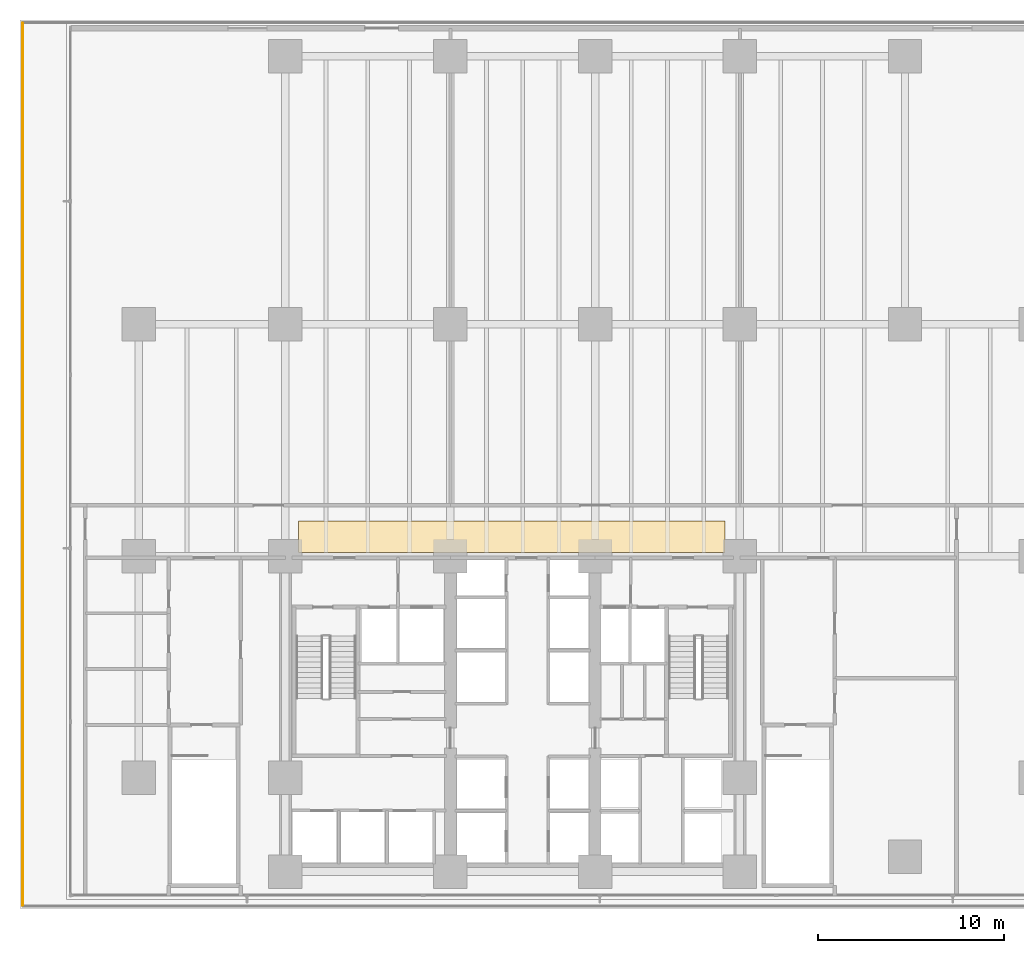
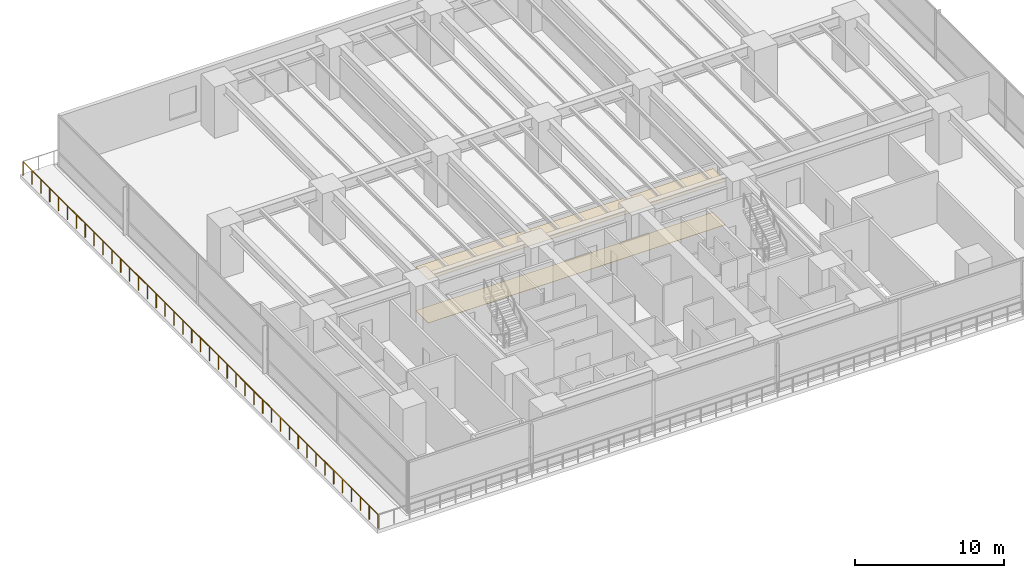
# One storey, part 17 of 21: 2 coverings, 1 railing.
"""IFC4 building model written with IfcOpenShell, lengths in metres."""

from ifc_helpers import new_model, si_unit, direction, frame, origin, origin_2d, place, context, subcontext, project, spatial, polyline, circle, outline, extrude, material, layer, layer_set, type_object, element, save


model = new_model("IFC4")

# Units and contexts
model_context = context("Model", 3, precision=1e-05, world=origin(), true_north=direction((0.0, 1.0)))
body_context = subcontext(model_context, "Body", "Model", "MODEL_VIEW")
ifc_project = project(units=[si_unit("LENGTHUNIT", "METRE"), si_unit("AREAUNIT", "SQUARE_METRE"), si_unit("VOLUMEUNIT", "CUBIC_METRE"), si_unit("PLANEANGLEUNIT", "RADIAN"), si_unit("MASSUNIT", "GRAM", prefix="KILO")], contexts=[model_context])

# Site, building, storey
site_placement = place(None, origin())
site = spatial("IfcSite", under=ifc_project, at=site_placement, CompositionType="ELEMENT")
building_placement = place(site_placement, origin())
building = spatial("IfcBuilding", under=site, at=building_placement, Name="Qalmaran Belvedere Hotel", CompositionType="ELEMENT")
storey_placement = place(building_placement, frame((0.0, 0.0, 23.800048828125)))
storey = spatial("IfcBuildingStorey", under=building, at=storey_placement, Name="L05", CompositionType="ELEMENT", Elevation=23.800048828125)

# Coverings
ifc_material_1 = material(Name="Acoustic Mineral Ceiling")
ifc_layer_1 = layer(ifc_material_1, 0.0400390625, Name="Acoustic Mineral Ceiling")
ifc_layer_set_1 = layer_set([ifc_layer_1], Name="Acoustic Mineral Ceiling")
covering_type_1 = type_object("IfcCoveringType", Name="CLG-ACOUSTIC-40", PredefinedType="CEILING", material=ifc_layer_set_1)
covering_1_placement = place(storey_placement, frame((0.0, 0.0, 3.550048828125)))
element("IfcCovering", 1, at=covering_1_placement, inside=storey, type_object=covering_type_1, Name="L05 Acoustic Corridor Ceiling", PredefinedType="CEILING", context=body_context, shape_type="SweptSolid", body=[
    extrude(outline(polyline([(21.0, 20.699951171875), (44.0, 20.699951171875), (44.0, 22.39990234375), (21.0, 22.39990234375), (21.0, 20.699951171875)])), origin(), (0.0, 0.0, 1.0), 0.039794921875),
])
ifc_material_2 = material(Name="Polished Stone Terrazzo", Category="masonry")
ifc_layer_2 = layer(ifc_material_2, 0.01806640625, Name="Polished Stone Terrazzo")
ifc_layer_set_2 = layer_set([ifc_layer_2], Name="Polished Stone Terrazzo")
covering_type_2 = type_object("IfcCoveringType", Name="FIN-TERRAZZO-18", PredefinedType="FLOORING", material=ifc_layer_set_2)
covering_2_placement = place(storey_placement, frame((0.0, 0.0, 0.001953125)))
element("IfcCovering", 2, at=covering_2_placement, inside=storey, type_object=covering_type_2, Name="L05 Limestone Corridor Flooring", PredefinedType="FLOORING", context=body_context, shape_type="SweptSolid", body=[
    extrude(outline(polyline([(21.0, 20.699951171875), (44.0, 20.699951171875), (44.0, 22.39990234375), (21.0, 22.39990234375), (21.0, 20.699951171875)])), origin(), (0.0, 0.0, 1.0), 0.01806640625),
])

# Railing
ifc_material_3 = material(Name="Anodised Bronze Aluminium", Category="aluminium")
railing_type = type_object("IfcRailingType", Name="GRD-TERR-1150", PredefinedType="BALUSTRADE", material=ifc_material_3)
railing_placement = place(storey_placement, frame((6.139892578125, 49.22509765625, 0.0)))
element("IfcRailing", 3, at=railing_placement, inside=storey, type_object=railing_type, Name="L05 Guardrail L05-TERR-4", PredefinedType="BALUSTRADE", context=body_context, shape_type="SweptSolid", body=[
    extrude(circle(Radius=0.02392578125, at=origin_2d()), frame((0.0, 0.0, 1.1259765625), z_axis=(0.0, -1.0, 0.0), x_axis=(1.0, 0.0, 0.0)), (0.0, 0.0, 1.0), 47.550048828125),
    extrude(circle(Radius=0.02099609375, at=origin_2d()), origin(), (0.0, 0.0, 1.0), 1.101806640625),
    extrude(circle(Radius=0.02099609375, at=origin_2d()), frame((0.0, -1.188720703125, 0.0)), (0.0, 0.0, 1.0), 1.101806640625),
    extrude(circle(Radius=0.02099609375, at=origin_2d()), frame((0.0, -2.37744140625, 0.0)), (0.0, 0.0, 1.0), 1.101806640625),
    extrude(circle(Radius=0.02099609375, at=origin_2d()), frame((0.0, -3.566162109375, 0.0)), (0.0, 0.0, 1.0), 1.101806640625),
    extrude(circle(Radius=0.02099609375, at=origin_2d()), frame((0.0, -4.7548828125, 0.0)), (0.0, 0.0, 1.0), 1.101806640625),
    extrude(circle(Radius=0.02099609375, at=origin_2d()), frame((0.0, -5.94384765625, 0.0)), (0.0, 0.0, 1.0), 1.101806640625),
    extrude(circle(Radius=0.02099609375, at=origin_2d()), frame((0.0, -7.132568359375, 0.0)), (0.0, 0.0, 1.0), 1.101806640625),
    extrude(circle(Radius=0.02099609375, at=origin_2d()), frame((0.0, -8.3212890625, 0.0)), (0.0, 0.0, 1.0), 1.101806640625),
    extrude(circle(Radius=0.02099609375, at=origin_2d()), frame((0.0, -9.510009765625, 0.0)), (0.0, 0.0, 1.0), 1.101806640625),
    extrude(circle(Radius=0.02099609375, at=origin_2d()), frame((0.0, -10.69873046875, 0.0)), (0.0, 0.0, 1.0), 1.101806640625),
    extrude(circle(Radius=0.02099609375, at=origin_2d()), frame((0.0, -11.887451171875, 0.0)), (0.0, 0.0, 1.0), 1.101806640625),
    extrude(circle(Radius=0.02099609375, at=origin_2d()), frame((0.0, -13.076171875, 0.0)), (0.0, 0.0, 1.0), 1.101806640625),
    extrude(circle(Radius=0.02099609375, at=origin_2d()), frame((0.0, -14.26513671875, 0.0)), (0.0, 0.0, 1.0), 1.101806640625),
    extrude(circle(Radius=0.02099609375, at=origin_2d()), frame((0.0, -15.453857421875, 0.0)), (0.0, 0.0, 1.0), 1.101806640625),
    extrude(circle(Radius=0.02099609375, at=origin_2d()), frame((0.0, -16.642578125, 0.0)), (0.0, 0.0, 1.0), 1.101806640625),
    extrude(circle(Radius=0.02099609375, at=origin_2d()), frame((0.0, -17.831298828125, 0.0)), (0.0, 0.0, 1.0), 1.101806640625),
    extrude(circle(Radius=0.02099609375, at=origin_2d()), frame((0.0, -19.02001953125, 0.0)), (0.0, 0.0, 1.0), 1.101806640625),
    extrude(circle(Radius=0.02099609375, at=origin_2d()), frame((0.0, -20.208740234375, 0.0)), (0.0, 0.0, 1.0), 1.101806640625),
    extrude(circle(Radius=0.02099609375, at=origin_2d()), frame((0.0, -21.3974609375, 0.0)), (0.0, 0.0, 1.0), 1.101806640625),
    extrude(circle(Radius=0.02099609375, at=origin_2d()), frame((0.0, -22.586181640625, 0.0)), (0.0, 0.0, 1.0), 1.101806640625),
    extrude(circle(Radius=0.02099609375, at=origin_2d()), frame((0.0, -23.77490234375, 0.0)), (0.0, 0.0, 1.0), 1.101806640625),
    extrude(circle(Radius=0.02099609375, at=origin_2d()), frame((0.0, -24.9638671875, 0.0)), (0.0, 0.0, 1.0), 1.101806640625),
    extrude(circle(Radius=0.02099609375, at=origin_2d()), frame((0.0, -26.152587890625, 0.0)), (0.0, 0.0, 1.0), 1.101806640625),
    extrude(circle(Radius=0.02099609375, at=origin_2d()), frame((0.0, -27.34130859375, 0.0)), (0.0, 0.0, 1.0), 1.101806640625),
    extrude(circle(Radius=0.02099609375, at=origin_2d()), frame((0.0, -28.530029296875, 0.0)), (0.0, 0.0, 1.0), 1.101806640625),
    extrude(circle(Radius=0.02099609375, at=origin_2d()), frame((0.0, -29.71875, 0.0)), (0.0, 0.0, 1.0), 1.101806640625),
    extrude(circle(Radius=0.02099609375, at=origin_2d()), frame((0.0, -30.907470703125, 0.0)), (0.0, 0.0, 1.0), 1.101806640625),
    extrude(circle(Radius=0.02099609375, at=origin_2d()), frame((0.0, -32.09619140625, 0.0)), (0.0, 0.0, 1.0), 1.101806640625),
    extrude(circle(Radius=0.02099609375, at=origin_2d()), frame((0.0, -33.28515625, 0.0)), (0.0, 0.0, 1.0), 1.101806640625),
    extrude(circle(Radius=0.02099609375, at=origin_2d()), frame((0.0, -34.473876953125, 0.0)), (0.0, 0.0, 1.0), 1.101806640625),
    extrude(circle(Radius=0.02099609375, at=origin_2d()), frame((0.0, -35.66259765625, 0.0)), (0.0, 0.0, 1.0), 1.101806640625),
    extrude(circle(Radius=0.02099609375, at=origin_2d()), frame((0.0, -36.851318359375, 0.0)), (0.0, 0.0, 1.0), 1.101806640625),
    extrude(circle(Radius=0.02099609375, at=origin_2d()), frame((0.0, -38.0400390625, 0.0)), (0.0, 0.0, 1.0), 1.101806640625),
    extrude(circle(Radius=0.02099609375, at=origin_2d()), frame((0.0, -39.228759765625, 0.0)), (0.0, 0.0, 1.0), 1.101806640625),
    extrude(circle(Radius=0.02099609375, at=origin_2d()), frame((0.0, -40.41748046875, 0.0)), (0.0, 0.0, 1.0), 1.101806640625),
    extrude(circle(Radius=0.02099609375, at=origin_2d()), frame((0.0, -41.606201171875, 0.0)), (0.0, 0.0, 1.0), 1.101806640625),
    extrude(circle(Radius=0.02099609375, at=origin_2d()), frame((0.0, -42.794921875, 0.0)), (0.0, 0.0, 1.0), 1.101806640625),
    extrude(circle(Radius=0.02099609375, at=origin_2d()), frame((0.0, -43.98388671875, 0.0)), (0.0, 0.0, 1.0), 1.101806640625),
    extrude(circle(Radius=0.02099609375, at=origin_2d()), frame((0.0, -45.172607421875, 0.0)), (0.0, 0.0, 1.0), 1.101806640625),
    extrude(circle(Radius=0.02099609375, at=origin_2d()), frame((0.0, -46.361328125, 0.0)), (0.0, 0.0, 1.0), 1.101806640625),
    extrude(circle(Radius=0.02099609375, at=origin_2d()), frame((0.0, -47.550048828125, 0.0)), (0.0, 0.0, 1.0), 1.101806640625),
])

save(model, "model.ifc")
